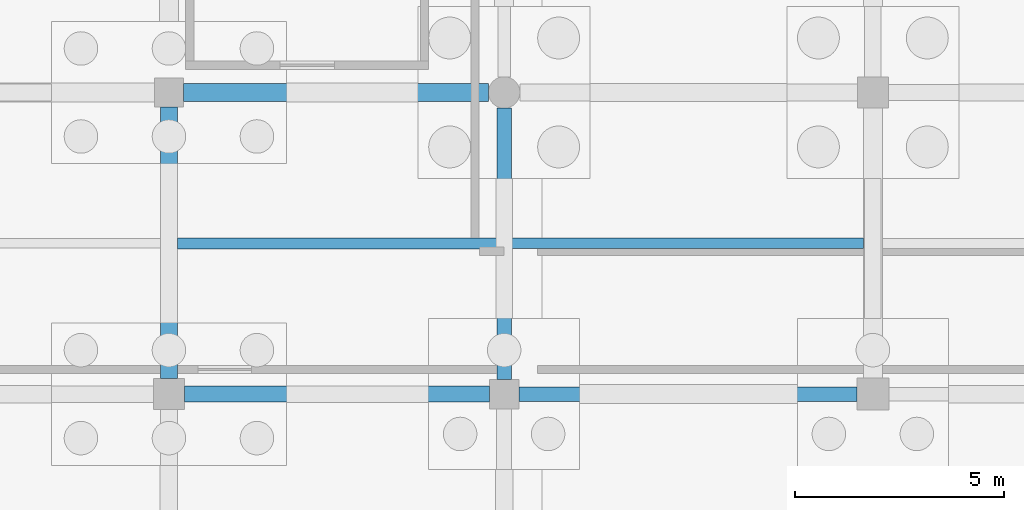
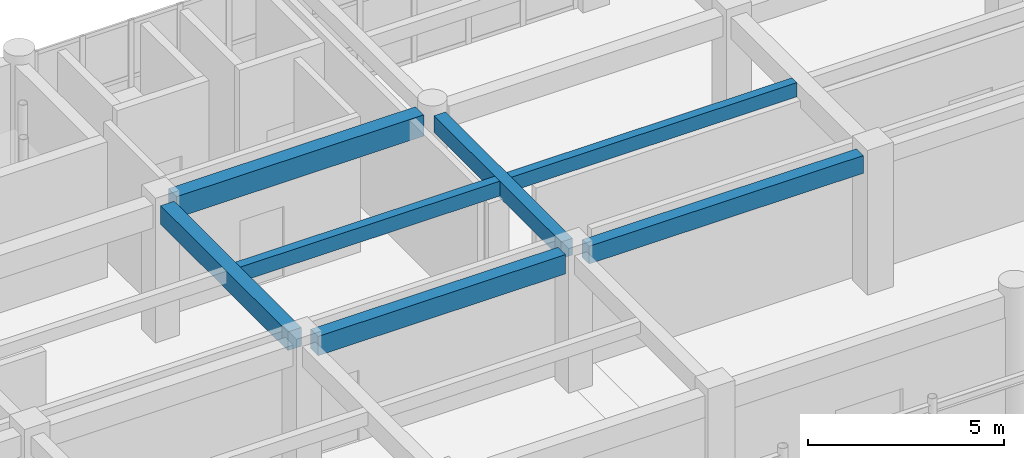
# One storey, part 74 of 166: 7 beams.
"""IFC4 building model written with IfcOpenShell, lengths in metres."""

from ifc_helpers import new_model, si_unit, direction, frame, origin, origin_2d, place, context, subcontext, project, spatial, rectangle, extrude, material, material_profile, profile_set, type_object, element, save


model = new_model("IFC4")

# Units and contexts
model_context = context("Model", 3, precision=1e-05, world=origin(), true_north=direction((0.0, 1.0)))
body_context = subcontext(model_context, "Body", "Model", "MODEL_VIEW")
ifc_project = project(units=[si_unit("LENGTHUNIT", "METRE"), si_unit("AREAUNIT", "SQUARE_METRE"), si_unit("VOLUMEUNIT", "CUBIC_METRE"), si_unit("PLANEANGLEUNIT", "RADIAN"), si_unit("MASSUNIT", "GRAM", prefix="KILO")], contexts=[model_context])

# Site, building, storey
site_placement = place(None, origin())
site = spatial("IfcSite", under=ifc_project, at=site_placement, CompositionType="ELEMENT")
building_placement = place(site_placement, origin())
building = spatial("IfcBuilding", under=site, at=building_placement, Name="Kharva Crest Polytechnic", CompositionType="ELEMENT")
storey_placement = place(building_placement, origin())
storey = spatial("IfcBuildingStorey", under=building, at=storey_placement, Name="L00", CompositionType="ELEMENT", Elevation=0.0)

# Beams
ifc_material = material(Name="Concrete C35/45", Category="concrete")
ifc_material_profile_1 = material_profile(ifc_material, rectangle(XDim=0.340087890625, YDim=0.52001953125, at=origin_2d()), Name="RECT 340 X 520")
ifc_profile_set_1 = profile_set([ifc_material_profile_1], Name="Concrete C35/45")
beam_type_1 = type_object("IfcBeamType", Name="BM-RC-340X520", PredefinedType="BEAM", material=ifc_profile_set_1)
beam_1_placement = place(storey_placement, frame((120.0, 107.949951171875, 3.9599609375), z_axis=(0.0, 1.0, 0.0), x_axis=(-1.0, 0.0, 0.0)))
element("IfcBeam", 1, at=beam_1_placement, inside=storey, type_object=beam_type_1, Name="L00 Girder 16/Q-R", PredefinedType="BEAM", context=body_context, shape_type="SweptSolid", body=[
    extrude(rectangle(XDim=0.340087890625, YDim=0.52001953125, at=origin_2d()), origin(), (0.0, 0.0, 1.0), 6.47509765625),
])
ifc_material_profile_2 = material_profile(ifc_material, rectangle(XDim=0.35009765625, YDim=0.550048828125, at=origin_2d()), Name="RECT 350 X 550")
ifc_profile_set_2 = profile_set([ifc_material_profile_2], Name="Concrete C35/45")
beam_type_2 = type_object("IfcBeamType", Name="BM-RC-350X550", PredefinedType="BEAM", material=ifc_profile_set_2)
beam_2_placement = place(storey_placement, frame((120.35009765625, 107.60009765625, 3.945068359375), z_axis=(1.0, 0.0, 0.0), x_axis=(0.0, 1.0, 0.0)))
element("IfcBeam", 2, at=beam_2_placement, inside=storey, type_object=beam_type_2, Name="L00 Beam Q/16-17", PredefinedType="BEAM", context=body_context, shape_type="SweptSolid", body=[
    extrude(rectangle(XDim=0.35009765625, YDim=0.550048828125, at=origin_2d()), origin(), (0.0, 0.0, 1.0), 8.06982421875),
])
ifc_material_profile_3 = material_profile(ifc_material, rectangle(XDim=0.3798828125, YDim=0.60009765625, at=origin_2d()), Name="RECT 380 X 600")
ifc_profile_set_3 = profile_set([ifc_material_profile_3], Name="Concrete C35/45")
beam_type_3 = type_object("IfcBeamType", Name="BM-RC-380X600", PredefinedType="BEAM", material=ifc_profile_set_3)
beam_3_placement = place(storey_placement, frame((112.3701171875, 107.60009765625, 3.919921875), z_axis=(1.0, 0.0, 0.0), x_axis=(0.0, 1.0, 0.0)))
element("IfcBeam", 3, at=beam_3_placement, inside=storey, type_object=beam_type_3, Name="L00 Beam Q/15-16", PredefinedType="BEAM", context=body_context, shape_type="SweptSolid", body=[
    extrude(rectangle(XDim=0.3798828125, YDim=0.60009765625, at=origin_2d()), origin(), (0.0, 0.0, 1.0), 7.27978515625),
])
ifc_material_profile_4 = material_profile(ifc_material, rectangle(XDim=0.39990234375, YDim=0.580078125, at=origin_2d()), Name="RECT 400 X 580")
ifc_profile_set_4 = profile_set([ifc_material_profile_4], Name="Concrete C35/45")
beam_type_4 = type_object("IfcBeamType", Name="BM-RC-400X580", PredefinedType="BEAM", material=ifc_profile_set_4)
beam_4_placement = place(storey_placement, frame((112.0, 107.969970703125, 3.929931640625), z_axis=(0.0, 1.0, 0.0), x_axis=(-1.0, 0.0, 0.0)))
element("IfcBeam", 4, at=beam_4_placement, inside=storey, type_object=beam_type_4, Name="L00 Girder 15/Q-R", PredefinedType="BEAM", context=body_context, shape_type="SweptSolid", body=[
    extrude(rectangle(XDim=0.39990234375, YDim=0.580078125, at=origin_2d()), origin(), (0.0, 0.0, 1.0), 6.47998046875),
])
ifc_material_profile_5 = material_profile(ifc_material, rectangle(XDim=0.419921875, YDim=0.659912109375, at=origin_2d()), Name="RECT 420 X 660")
ifc_profile_set_5 = profile_set([ifc_material_profile_5], Name="Concrete C35/45")
beam_type_5 = type_object("IfcBeamType", Name="BM-RC-420X660", PredefinedType="BEAM", material=ifc_profile_set_5)
beam_5_placement = place(storey_placement, frame((112.35009765625, 114.800048828125, 3.889892578125), z_axis=(1.0, 0.0, 0.0), x_axis=(0.0, 1.0, 0.0)))
element("IfcBeam", 5, at=beam_5_placement, inside=storey, type_object=beam_type_5, Name="L00 Beam R/15-16", PredefinedType="BEAM", context=body_context, shape_type="SweptSolid", body=[
    extrude(rectangle(XDim=0.419921875, YDim=0.659912109375, at=origin_2d()), origin(), (0.0, 0.0, 1.0), 7.27490234375),
])
ifc_material_profile_6 = material_profile(ifc_material, rectangle(XDim=0.25, YDim=0.43994140625, at=origin_2d()), Name="RECT 250 X 440")
ifc_profile_set_6 = profile_set([ifc_material_profile_6], Name="Concrete C35/45")
beam_type_6 = type_object("IfcBeamType", Name="JS-RC-250X440", PredefinedType="JOIST", material=ifc_profile_set_6)
beam_6_placement = place(storey_placement, frame((120.169921875, 111.199951171875, 4.0), z_axis=(1.0, 0.0, 0.0), x_axis=(0.0, 1.0, 0.0)))
element("IfcBeam", 6, at=beam_6_placement, inside=storey, type_object=beam_type_6, Name="L00 Floor Joist 36", PredefinedType="JOIST", context=body_context, shape_type="SweptSolid", body=[
    extrude(rectangle(XDim=0.25, YDim=0.43994140625, at=origin_2d()), origin(), (0.0, 0.0, 1.0), 8.405029296875),
])
ifc_material_profile_7 = material_profile(ifc_material, rectangle(XDim=0.260009765625, YDim=0.4599609375, at=origin_2d()), Name="RECT 260 X 460")
ifc_profile_set_7 = profile_set([ifc_material_profile_7], Name="Concrete C35/45")
beam_type_7 = type_object("IfcBeamType", Name="JS-RC-260X460", PredefinedType="JOIST", material=ifc_profile_set_7)
beam_7_placement = place(storey_placement, frame((112.199951171875, 111.199951171875, 3.989990234375), z_axis=(1.0, 0.0, 0.0), x_axis=(0.0, 1.0, 0.0)))
element("IfcBeam", 7, at=beam_7_placement, inside=storey, type_object=beam_type_7, Name="L00 Floor Joist 35", PredefinedType="JOIST", context=body_context, shape_type="SweptSolid", body=[
    extrude(rectangle(XDim=0.260009765625, YDim=0.4599609375, at=origin_2d()), origin(), (0.0, 0.0, 1.0), 7.630126953125),
])

save(model, "model.ifc")
